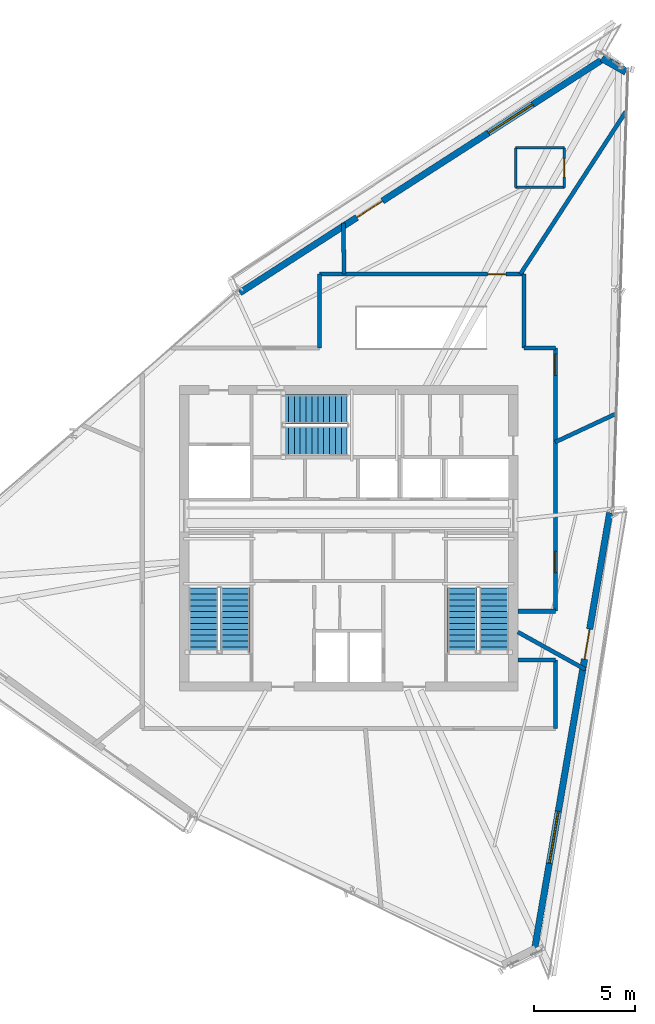
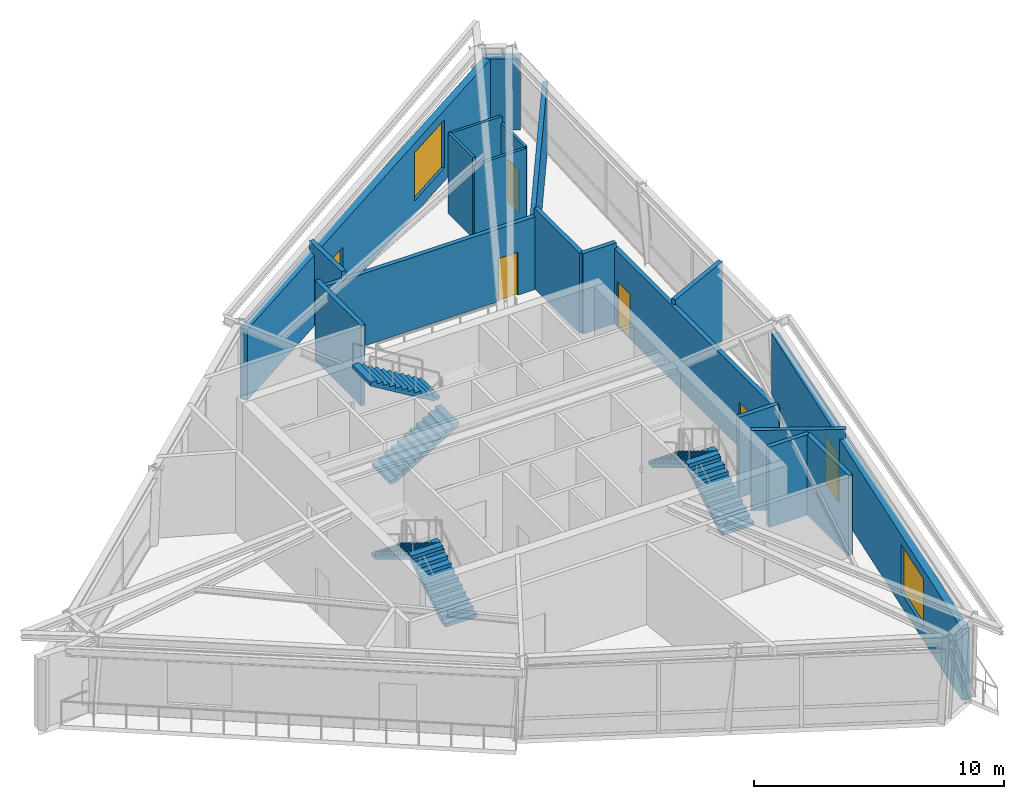
# One storey, part 19 of 22: 19 walls, 6 doors, 6 stair flights, 2 windows, 8 openings, 3 elements without a shape of their own.
"""IFC4 building model written with IfcOpenShell, lengths in metres."""

from ifc_helpers import new_model, si_unit, direction, frame, frame_2d, origin, place, context, subcontext, project, spatial, polyline, rectangle, outline, extrude, source, transform, mapped, material, layer, layer_set, type_object, type_shapes, element, fill, aggregate, save


model = new_model("IFC4")

# Units and contexts
model_context = context("Model", 3, precision=1e-05, world=origin(), true_north=direction((0.0, 1.0)))
body_context = subcontext(model_context, "Body", "Model", "MODEL_VIEW")
ifc_project = project(units=[si_unit("LENGTHUNIT", "METRE"), si_unit("AREAUNIT", "SQUARE_METRE"), si_unit("VOLUMEUNIT", "CUBIC_METRE"), si_unit("PLANEANGLEUNIT", "RADIAN"), si_unit("MASSUNIT", "GRAM", prefix="KILO")], contexts=[model_context])

# Site, building, storey
site_placement = place(None, origin())
site = spatial("IfcSite", under=ifc_project, at=site_placement, CompositionType="ELEMENT")
building_placement = place(site_placement, origin())
building = spatial("IfcBuilding", under=site, at=building_placement, Name="Olszyna Solenne Hotel", CompositionType="ELEMENT")
storey_placement = place(building_placement, frame((0.0, 0.0, 281.89990234375)))
storey = spatial("IfcBuildingStorey", under=building, at=storey_placement, Name="L75", CompositionType="ELEMENT", Elevation=281.89990234375)

# Wall, openings, door, window
ifc_material_1 = material(Name="Precast concrete C45/55", Category="concrete")
ifc_layer_1 = layer(ifc_material_1, 0.320068359375, Name="Precast concrete C45/55")
ifc_layer_set_1 = layer_set([ifc_layer_1], Name="Precast concrete C45/55")
wall_type_1 = type_object("IfcWallType", Name="WL-EX320", PredefinedType="SOLIDWALL", material=ifc_layer_set_1)
wall_1_placement = place(storey_placement, frame((50.88671875, 27.864990234375, 0.0), z_axis=(0.0, 0.0, 1.0), x_axis=(-0.169551460744, -0.985521335213, 0.0)))
wall_1 = element("IfcWall", 1, at=wall_1_placement, inside=storey, type_object=wall_type_1, Name="Exterior terracotta-precast frame wall WL-EX320 EW-L75-01", PredefinedType="SOLIDWALL", context=body_context, shape_type="SweptSolid", body=[
    extrude(rectangle(XDim=21.989013671875, YDim=0.320068359375, at=frame_2d((10.99462890625, 0.0))), origin(), (0.0, 0.0, 1.0), 3.462158203125),
])
opening_1_placement = place(wall_1_placement, frame((5.8369140625, 0.0, 0.0)))
opening_1 = element("IfcOpeningElement", 2, at=opening_1_placement, cuts=wall_1, Name="Opening LDG-L75-3", PredefinedType="OPENING", context=body_context, shape_type="SweptSolid", body=[
    extrude(rectangle(XDim=1.5, YDim=2.300048828125, at=frame_2d((0.75, 1.14990234375))), frame((0.0, 0.169921875, 0.0), z_axis=(0.0, -1.0, 0.0), x_axis=(1.0, 0.0, 0.0)), (0.0, 0.0, 1.0), 0.340087890625),
])
opening_2_placement = place(wall_1_placement, frame((14.971923828125, 0.0, 0.64990234375)))
opening_2 = element("IfcOpeningElement", 3, at=opening_2_placement, cuts=wall_1, Name="Opening WN-L75-497", PredefinedType="OPENING", context=body_context, shape_type="SweptSolid", body=[
    extrude(rectangle(XDim=2.60009765625, YDim=2.35009765625, at=frame_2d((1.300048828125, 1.175048828125))), frame((0.0, 0.169921875, 0.0), z_axis=(0.0, -1.0, 0.0), x_axis=(1.0, 0.0, 0.0)), (0.0, 0.0, 1.0), 0.340087890625),
])
ifc_material_2 = material(Name="Anodised bronze aluminium", Category="aluminium")
door_type_1 = type_object("IfcDoorType", Name="DR-LG2", OperationType="DOUBLE_DOOR_SINGLE_SWING", PredefinedType="DOOR", material=ifc_material_2)
shared_shape_1 = source(origin(), body_context, "Body", "SweptSolid", [
    extrude(rectangle(XDim=1.5, YDim=2.300048828125, at=frame_2d((0.75, 1.14990234375))), frame((0.0, 0.02490234375, 0.0), z_axis=(0.0, -1.0, 0.0), x_axis=(1.0, 0.0, 0.0)), (0.0, 0.0, 1.0), 0.050048828125),
])
type_shapes(door_type_1, [shared_shape_1])
door_1_placement = place(opening_1_placement, origin())
door_1 = element("IfcDoor", 4, at=door_1_placement, inside=storey, type_object=door_type_1, Name="Exterior loggia balcony door DR-LG2 LDG-L75-3", OperationType="DOUBLE_DOOR_SINGLE_SWING", OverallHeight=2.300048828125, OverallWidth=1.5, PredefinedType="DOOR", context=body_context, shape_type="MappedRepresentation", body=[
    mapped(shared_shape_1, transform((0.0, 0.0, 0.0), x_axis=(1.0, 0.0, 0.0), y_axis=(0.0, 1.0, 0.0), z_axis=(0.0, 0.0, 1.0), scale=1.0)),
])
fill(opening_1, door_1)
ifc_material_3 = material(Name="Low-E triple glazing", Category="glass")
window_type = type_object("IfcWindowType", Name="WN-ST1", PartitioningType="SINGLE_PANEL", PredefinedType="WINDOW", material=ifc_material_3)
shared_shape_2 = source(origin(), body_context, "Body", "SweptSolid", [
    extrude(rectangle(XDim=2.60009765625, YDim=2.35009765625, at=frame_2d((1.300048828125, 1.175048828125))), frame((0.0, 0.030029296875, 0.0), z_axis=(0.0, -1.0, 0.0), x_axis=(1.0, 0.0, 0.0)), (0.0, 0.0, 1.0), 0.06005859375),
])
type_shapes(window_type, [shared_shape_2])
window_1_placement = place(opening_2_placement, origin())
window_1 = element("IfcWindow", 5, at=window_1_placement, inside=storey, type_object=window_type, Name="Loggia room window WN-ST1 WN-L75-497", OverallHeight=2.35009765625, OverallWidth=2.60009765625, PartitioningType="SINGLE_PANEL", PredefinedType="WINDOW", context=body_context, shape_type="MappedRepresentation", body=[
    mapped(shared_shape_2, transform((0.0, 0.0, 0.0), x_axis=(1.0, 0.0, 0.0), y_axis=(0.0, 1.0, 0.0), z_axis=(0.0, 0.0, 1.0), scale=1.0)),
])
fill(opening_2, window_1)

wall_2_placement = place(storey_placement, frame((32.617431640625, 38.7265625, 0.0), z_axis=(0.0, 0.0, 1.0), x_axis=(0.841031155516, 0.540986686944, 0.0)))
wall_2 = element("IfcWall", 6, at=wall_2_placement, inside=storey, type_object=wall_type_1, Name="Exterior terracotta-precast frame wall WL-EX320 EW-L75-08", PredefinedType="SOLIDWALL", context=body_context, shape_type="SweptSolid", body=[
    extrude(rectangle(XDim=21.488525390625, YDim=0.320068359375, at=frame_2d((10.744140625, 0.0))), origin(), (0.0, 0.0, 1.0), 3.462158203125),
])
opening_3_placement = place(wall_2_placement, frame((6.8759765625, 0.0, 0.0)))
opening_3 = element("IfcOpeningElement", 7, at=opening_3_placement, cuts=wall_2, Name="Opening LDG-L75-1", PredefinedType="OPENING", context=body_context, shape_type="SweptSolid", body=[
    extrude(rectangle(XDim=1.5, YDim=2.300048828125, at=frame_2d((0.75, 1.14990234375))), frame((0.0, 0.169921875, 0.0), z_axis=(0.0, -1.0, 0.0), x_axis=(1.0, 0.0, 0.0)), (0.0, 0.0, 1.0), 0.340087890625),
])
opening_4_placement = place(wall_2_placement, frame((14.60107421875, 0.0, 0.64990234375)))
opening_4 = element("IfcOpeningElement", 8, at=opening_4_placement, cuts=wall_2, Name="Opening WN-L75-499", PredefinedType="OPENING", context=body_context, shape_type="SweptSolid", body=[
    extrude(rectangle(XDim=2.60009765625, YDim=2.35009765625, at=frame_2d((1.300048828125, 1.175048828125))), frame((0.0, 0.169921875, 0.0), z_axis=(0.0, -1.0, 0.0), x_axis=(1.0, 0.0, 0.0)), (0.0, 0.0, 1.0), 0.340087890625),
])
door_2_placement = place(opening_3_placement, origin())
door_2 = element("IfcDoor", 9, at=door_2_placement, inside=storey, type_object=door_type_1, Name="Exterior loggia balcony door DR-LG2 LDG-L75-1", OperationType="DOUBLE_DOOR_SINGLE_SWING", OverallHeight=2.300048828125, OverallWidth=1.5, PredefinedType="DOOR", context=body_context, shape_type="MappedRepresentation", body=[
    mapped(shared_shape_1, transform((0.0, 0.0, 0.0), x_axis=(1.0, 0.0, 0.0), y_axis=(0.0, 1.0, 0.0), z_axis=(0.0, 0.0, 1.0), scale=1.0)),
])
fill(opening_3, door_2)
window_2_placement = place(opening_4_placement, origin())
window_2 = element("IfcWindow", 10, at=window_2_placement, inside=storey, type_object=window_type, Name="Loggia room window WN-ST1 WN-L75-499", OverallHeight=2.35009765625, OverallWidth=2.60009765625, PartitioningType="SINGLE_PANEL", PredefinedType="WINDOW", context=body_context, shape_type="MappedRepresentation", body=[
    mapped(shared_shape_2, transform((0.0, 0.0, 0.0), x_axis=(1.0, 0.0, 0.0), y_axis=(0.0, 1.0, 0.0), z_axis=(0.0, 0.0, 1.0), scale=1.0)),
])
fill(opening_4, window_2)

# Wall
ifc_material_4 = material(Name="Terracotta cladding on precast concrete C45/55", Category="masonry")
ifc_layer_2 = layer(ifc_material_4, 0.3798828125, Name="Terracotta cladding on precast concrete C45/55")
ifc_layer_set_2 = layer_set([ifc_layer_2], Name="Terracotta cladding on precast concrete C45/55")
wall_type_2 = type_object("IfcWallType", Name="WL-EX380", PredefinedType="SOLIDWALL", material=ifc_layer_set_2)
wall_3_placement = place(storey_placement, frame((50.509521484375, 50.32080078125, 0.0), z_axis=(0.0, 0.0, 1.0), x_axis=(0.869914545073, -0.493202477965, 0.0)))
element("IfcWall", 11, at=wall_3_placement, inside=storey, type_object=wall_type_2, Name="Exterior terracotta-precast frame wall WL-EX380 EW-L75-09", PredefinedType="SOLIDWALL", context=body_context, shape_type="SweptSolid", body=[
    extrude(rectangle(XDim=1.3623046875, YDim=0.3798828125, at=frame_2d((0.68115234375, 0.0))), origin(), (0.0, 0.0, 1.0), 3.462158203125),
])

# Wall, opening, door
ifc_material_5 = material(Name="Acoustic gypsum partition", Category="gypsum")
ifc_layer_3 = layer(ifc_material_5, 0.125, Name="Acoustic gypsum partition")
ifc_layer_set_3 = layer_set([ifc_layer_3], Name="Acoustic gypsum partition")
wall_type_3 = type_object("IfcWallType", Name="WL-PT125", PredefinedType="PARTITIONING", material=ifc_layer_set_3)
wall_4_placement = place(storey_placement, frame((48.64599609375, 43.928955078125, 0.0), z_axis=(0.0, 0.0, 1.0), x_axis=(0.0, 1.0, 0.0)))
wall_4 = element("IfcWall", 12, at=wall_4_placement, inside=storey, type_object=wall_type_3, Name="Interior acoustic partition WL-PT125 PW-L75-4106", PredefinedType="PARTITIONING", context=body_context, shape_type="SweptSolid", body=[
    extrude(rectangle(XDim=1.949951171875, YDim=0.125, at=frame_2d((0.97509765625, 0.0))), origin(), (0.0, 0.0, 1.0), 3.59521484375),
])
opening_5_placement = place(wall_4_placement, frame((0.52490234375, 0.0, 0.0)))
opening_5 = element("IfcOpeningElement", 13, at=opening_5_placement, cuts=wall_4, Name="Opening DR-L75-0990", PredefinedType="OPENING", context=body_context, shape_type="SweptSolid", body=[
    extrude(rectangle(XDim=0.89990234375, YDim=2.10009765625, at=frame_2d((0.449951171875, 1.050048828125))), frame((0.0, 0.072509765625, 0.0), z_axis=(0.0, -1.0, 0.0), x_axis=(1.0, 0.0, 0.0)), (0.0, 0.0, 1.0), 0.14501953125),
])
ifc_material_6 = material(Name="Timber hardwood", Category="wood")
door_type_2 = type_object("IfcDoorType", Name="DR-WC1", OperationType="NOTDEFINED", PredefinedType="DOOR", material=ifc_material_6)
shared_shape_3 = source(origin(), body_context, "Body", "SweptSolid", [
    extrude(rectangle(XDim=0.89990234375, YDim=2.10009765625, at=frame_2d((0.449951171875, 1.050048828125))), frame((0.0, 0.02490234375, 0.0), z_axis=(0.0, -1.0, 0.0), x_axis=(1.0, 0.0, 0.0)), (0.0, 0.0, 1.0), 0.050048828125),
])
type_shapes(door_type_2, [shared_shape_3])
door_3_placement = place(opening_5_placement, origin())
door_3 = element("IfcDoor", 14, at=door_3_placement, inside=storey, type_object=door_type_2, Name="En-Suite Bathroom Door DR-L75-0990", OperationType="SINGLE_SWING_RIGHT", OverallHeight=2.10009765625, OverallWidth=0.89990234375, PredefinedType="DOOR", context=body_context, shape_type="MappedRepresentation", body=[
    mapped(shared_shape_3, transform((0.0, 0.0, 0.0), x_axis=(1.0, 0.0, 0.0), y_axis=(0.0, 1.0, 0.0), z_axis=(0.0, 0.0, 1.0), scale=1.0)),
])
fill(opening_5, door_3)

# Walls
wall_5_placement = place(storey_placement, frame((48.64599609375, 45.87890625, 0.0), z_axis=(0.0, 0.0, 1.0), x_axis=(-1.0, 0.0, 0.0)))
element("IfcWall", 15, at=wall_5_placement, inside=storey, type_object=wall_type_3, Name="Interior acoustic partition WL-PT125 PW-L75-4107", PredefinedType="PARTITIONING", context=body_context, shape_type="SweptSolid", body=[
    extrude(rectangle(XDim=2.39990234375, YDim=0.125, at=frame_2d((1.199951171875, 0.0))), origin(), (0.0, 0.0, 1.0), 3.920166015625),
])
wall_6_placement = place(storey_placement, frame((46.24609375, 45.87890625, 0.0), z_axis=(0.0, 0.0, 1.0), x_axis=(0.0, -1.0, 0.0)))
element("IfcWall", 16, at=wall_6_placement, inside=storey, type_object=wall_type_3, Name="Interior acoustic partition WL-PT125 PW-L75-4108", PredefinedType="PARTITIONING", context=body_context, shape_type="SweptSolid", body=[
    extrude(rectangle(XDim=1.949951171875, YDim=0.125, at=frame_2d((0.97509765625, 0.0))), origin(), (0.0, 0.0, 1.0), 3.920166015625),
])
wall_7_placement = place(storey_placement, frame((46.24609375, 43.928955078125, 0.0), z_axis=(0.0, 0.0, 1.0), x_axis=(1.0, 0.0, 0.0)))
element("IfcWall", 17, at=wall_7_placement, inside=storey, type_object=wall_type_3, Name="Interior acoustic partition WL-PT125 PW-L75-4109", PredefinedType="PARTITIONING", context=body_context, shape_type="SweptSolid", body=[
    extrude(rectangle(XDim=2.39990234375, YDim=0.125, at=frame_2d((1.199951171875, 0.0))), origin(), (0.0, 0.0, 1.0), 3.545166015625),
])
ifc_layer_4 = layer(ifc_material_5, 0.199951171875, Name="Acoustic gypsum partition")
ifc_layer_set_4 = layer_set([ifc_layer_4], Name="Acoustic gypsum partition")
wall_type_4 = type_object("IfcWallType", Name="WL-PT200", PredefinedType="PARTITIONING", material=ifc_layer_set_4)
wall_8_placement = place(storey_placement, frame((37.772216796875, 39.64990234375, 0.0), z_axis=(0.0, 0.0, 1.0), x_axis=(-0.01744427747, 0.999847837015, 0.0)))
element("IfcWall", 18, at=wall_8_placement, inside=storey, type_object=wall_type_4, Name="Interior acoustic partition WL-PT200 PW-L75-4099", PredefinedType="PARTITIONING", context=body_context, shape_type="SweptSolid", body=[
    extrude(rectangle(XDim=2.519287109375, YDim=0.199951171875, at=frame_2d((1.259765625, 0.0))), origin(), (0.0, 0.0, 1.0), 3.920166015625),
])
wall_9_placement = place(storey_placement, frame((46.35009765625, 21.971435546875, 0.0), z_axis=(0.0, 0.0, 1.0), x_axis=(0.874624795307, -0.484800440835, 0.0)))
element("IfcWall", 19, at=wall_9_placement, inside=storey, type_object=wall_type_4, Name="Interior acoustic partition WL-PT200 PW-L75-4103", PredefinedType="PARTITIONING", context=body_context, shape_type="SweptSolid", body=[
    extrude(rectangle(XDim=3.814697265625, YDim=0.199951171875, at=frame_2d((1.9072265625, 0.0))), origin(), (0.0, 0.0, 1.0), 3.920166015625),
])
wall_10_placement = place(storey_placement, frame((48.199951171875, 31.356201171875, 0.0), z_axis=(0.0, 0.0, 1.0), x_axis=(0.906312057572, 0.422609103428, 0.0)))
element("IfcWall", 20, at=wall_10_placement, inside=storey, type_object=wall_type_4, Name="Interior acoustic partition WL-PT200 PW-L75-4104", PredefinedType="PARTITIONING", context=body_context, shape_type="SweptSolid", body=[
    extrude(rectangle(XDim=3.288818359375, YDim=0.199951171875, at=frame_2d((1.64453125, 0.0))), origin(), (0.0, 0.0, 1.0), 3.920166015625),
])
wall_11_placement = place(storey_placement, frame((46.474853515625, 39.64990234375, 0.0), z_axis=(0.0, 0.0, 1.0), x_axis=(0.54461430033, 0.838686630319, 0.0)))
element("IfcWall", 21, at=wall_11_placement, inside=storey, type_object=wall_type_4, Name="Interior acoustic partition WL-PT200 PW-L75-4105", PredefinedType="PARTITIONING", context=body_context, shape_type="SweptSolid", body=[
    extrude(rectangle(XDim=9.568115234375, YDim=0.199951171875, at=frame_2d((4.7841796875, 0.0))), origin(), (0.0, 0.0, 1.0), 3.455078125),
])
wall_12_placement = place(storey_placement, frame((46.64990234375, 36.0, 0.0), z_axis=(0.0, 0.0, 1.0), x_axis=(1.0, 0.0, 0.0)))
element("IfcWall", 22, at=wall_12_placement, inside=storey, type_object=wall_type_4, Name="Interior acoustic partition WL-PT200 PW-L75-4113", PredefinedType="PARTITIONING", context=body_context, shape_type="SweptSolid", body=[
    extrude(rectangle(XDim=1.550048828125, YDim=0.199951171875, at=frame_2d((0.77490234375, 0.0))), origin(), (0.0, 0.0, 1.0), 3.920166015625),
])
wall_13_placement = place(storey_placement, frame((48.199951171875, 17.199951171875, 0.0), z_axis=(0.0, 0.0, 1.0), x_axis=(0.0, 1.0, 0.0)))
element("IfcWall", 23, at=wall_13_placement, inside=storey, type_object=wall_type_4, Name="Interior acoustic partition WL-PT200 PW-L75-4114", PredefinedType="PARTITIONING", context=body_context, shape_type="SweptSolid", body=[
    extrude(rectangle(XDim=3.400146484375, YDim=0.199951171875, at=frame_2d((1.7001953125, 0.0))), origin(), (0.0, 0.0, 1.0), 3.920166015625),
])
wall_14_placement = place(storey_placement, frame((46.35009765625, 20.60009765625, 0.0), z_axis=(0.0, 0.0, 1.0), x_axis=(1.0, 0.0, 0.0)))
element("IfcWall", 24, at=wall_14_placement, inside=storey, type_object=wall_type_4, Name="Interior acoustic partition WL-PT200 PW-L75-4115", PredefinedType="PARTITIONING", context=body_context, shape_type="SweptSolid", body=[
    extrude(rectangle(XDim=1.849853515625, YDim=0.199951171875, at=frame_2d((0.9248046875, 0.0))), origin(), (0.0, 0.0, 1.0), 3.920166015625),
])

# Wall, openings, doors
wall_15_placement = place(storey_placement, frame((48.199951171875, 23.0, 0.0), z_axis=(0.0, 0.0, 1.0), x_axis=(0.0, 1.0, 0.0)))
wall_15 = element("IfcWall", 25, at=wall_15_placement, inside=storey, type_object=wall_type_4, Name="Interior acoustic partition WL-PT200 PW-L75-4116", PredefinedType="PARTITIONING", context=body_context, shape_type="SweptSolid", body=[
    extrude(rectangle(XDim=13.0, YDim=0.199951171875, at=frame_2d((6.5, 0.0))), origin(), (0.0, 0.0, 1.0), 3.6650390625),
])
opening_6_placement = place(wall_15_placement, frame((1.910888671875, 0.0, 0.0)))
opening_6 = element("IfcOpeningElement", 26, at=opening_6_placement, cuts=wall_15, Name="Opening DR-L75-0995", PredefinedType="OPENING", context=body_context, shape_type="SweptSolid", body=[
    extrude(rectangle(XDim=1.050048828125, YDim=2.199951171875, at=frame_2d((0.52490234375, 1.10009765625))), frame((0.0, 0.10986328125, 0.0), z_axis=(0.0, -1.0, 0.0), x_axis=(1.0, 0.0, 0.0)), (0.0, 0.0, 1.0), 0.219970703125),
])
opening_7_placement = place(wall_15_placement, frame((11.64990234375, 0.0, 0.0)))
opening_7 = element("IfcOpeningElement", 27, at=opening_7_placement, cuts=wall_15, Name="Opening DR-L75-0996", PredefinedType="OPENING", context=body_context, shape_type="SweptSolid", body=[
    extrude(rectangle(XDim=1.050048828125, YDim=2.199951171875, at=frame_2d((0.52490234375, 1.10009765625))), frame((0.0, 0.10986328125, 0.0), z_axis=(0.0, -1.0, 0.0), x_axis=(1.0, 0.0, 0.0)), (0.0, 0.0, 1.0), 0.219970703125),
])
door_type_3 = type_object("IfcDoorType", Name="DR-RM2", OperationType="NOTDEFINED", PredefinedType="DOOR", material=ifc_material_6)
shared_shape_4 = source(origin(), body_context, "Body", "SweptSolid", [
    extrude(rectangle(XDim=1.050048828125, YDim=2.199951171875, at=frame_2d((0.52490234375, 1.10009765625))), frame((0.0, 0.02490234375, 0.0), z_axis=(0.0, -1.0, 0.0), x_axis=(1.0, 0.0, 0.0)), (0.0, 0.0, 1.0), 0.050048828125),
])
type_shapes(door_type_3, [shared_shape_4])
door_4_placement = place(opening_6_placement, origin())
door_4 = element("IfcDoor", 28, at=door_4_placement, inside=storey, type_object=door_type_3, Name="Pastry and Garde Manger Pantry Entrance Door DR-L75-0995", OperationType="SINGLE_SWING_RIGHT", OverallHeight=2.199951171875, OverallWidth=1.050048828125, PredefinedType="DOOR", context=body_context, shape_type="MappedRepresentation", body=[
    mapped(shared_shape_4, transform((0.0, 0.0, 0.0), x_axis=(1.0, 0.0, 0.0), y_axis=(0.0, 1.0, 0.0), z_axis=(0.0, 0.0, 1.0), scale=1.0)),
])
fill(opening_6, door_4)
door_5_placement = place(opening_7_placement, origin())
door_5 = element("IfcDoor", 29, at=door_5_placement, inside=storey, type_object=door_type_3, Name="VIP Chef Table Room Entrance Door DR-L75-0996", OperationType="SINGLE_SWING_LEFT", OverallHeight=2.199951171875, OverallWidth=1.050048828125, PredefinedType="DOOR", context=body_context, shape_type="MappedRepresentation", body=[
    mapped(shared_shape_4, transform((0.0, 0.0, 0.0), x_axis=(1.0, 0.0, 0.0), y_axis=(0.0, 1.0, 0.0), z_axis=(0.0, 0.0, 1.0), scale=1.0)),
])
fill(opening_7, door_5)

# Walls
wall_16_placement = place(storey_placement, frame((46.35009765625, 23.0, 0.0), z_axis=(0.0, 0.0, 1.0), x_axis=(1.0, 0.0, 0.0)))
element("IfcWall", 30, at=wall_16_placement, inside=storey, type_object=wall_type_4, Name="Interior acoustic partition WL-PT200 PW-L75-4117", PredefinedType="PARTITIONING", context=body_context, shape_type="SweptSolid", body=[
    extrude(rectangle(XDim=1.849853515625, YDim=0.199951171875, at=frame_2d((0.9248046875, 0.0))), origin(), (0.0, 0.0, 1.0), 3.920166015625),
])
for number, where, z_axis, x_axis, name in (
    (31, (36.550048828125, 36.0, 0.0), (0.0, 0.0, 1.0), (0.0, 1.0, 0.0), "Interior acoustic partition WL-PT200 PW-L75-4118"),
    (32, (46.64990234375, 36.0, 0.0), (0.0, 0.0, 1.0), (0.0, 1.0, 0.0), "Interior acoustic partition WL-PT200 PW-L75-4119"),
):
    element("IfcWall", number, at=place(storey_placement, frame(where, z_axis=z_axis, x_axis=x_axis)), inside=storey, type_object=wall_type_4, Name=name, PredefinedType="PARTITIONING", context=body_context, shape_type="SweptSolid", body=[
        extrude(rectangle(XDim=3.64990234375, YDim=0.199951171875, at=frame_2d((1.824951171875, 0.0))), origin(), (0.0, 0.0, 1.0), 3.920166015625),
    ])

# Wall, opening, door
wall_17_placement = place(storey_placement, frame((36.550048828125, 39.64990234375, 0.0), z_axis=(0.0, 0.0, 1.0), x_axis=(1.0, 0.0, 0.0)))
wall_17 = element("IfcWall", 33, at=wall_17_placement, inside=storey, type_object=wall_type_4, Name="Interior acoustic partition WL-PT200 PW-L75-4120", PredefinedType="PARTITIONING", context=body_context, shape_type="SweptSolid", body=[
    extrude(rectangle(XDim=10.099853515625, YDim=0.199951171875, at=frame_2d((5.0498046875, 0.0))), origin(), (0.0, 0.0, 1.0), 3.545166015625),
])
opening_8_placement = place(wall_17_placement, frame((8.31005859375, 0.0, 0.0)))
opening_8 = element("IfcOpeningElement", 34, at=opening_8_placement, cuts=wall_17, Name="Opening DR-L75-0997", PredefinedType="OPENING", context=body_context, shape_type="SweptSolid", body=[
    extrude(rectangle(XDim=0.89990234375, YDim=2.10009765625, at=frame_2d((0.449951171875, 1.050048828125))), frame((0.0, 0.10986328125, 0.0), z_axis=(0.0, -1.0, 0.0), x_axis=(1.0, 0.0, 0.0)), (0.0, 0.0, 1.0), 0.219970703125),
])
door_6_placement = place(opening_8_placement, origin())
door_6 = element("IfcDoor", 35, at=door_6_placement, inside=storey, type_object=door_type_2, Name="Executive Reading Salon Entrance Door DR-L75-0997", OperationType="SINGLE_SWING_RIGHT", OverallHeight=2.10009765625, OverallWidth=0.89990234375, PredefinedType="DOOR", context=body_context, shape_type="MappedRepresentation", body=[
    mapped(shared_shape_3, transform((0.0, 0.0, 0.0), x_axis=(1.0, 0.0, 0.0), y_axis=(0.0, 1.0, 0.0), z_axis=(0.0, 0.0, 1.0), scale=1.0)),
])
fill(opening_8, door_6)

# Stair, stair flights
ifc_material_7 = material(Name="Concrete C40/50", Category="concrete")
stair_type = type_object("IfcStairType", Name="STR-C1", PredefinedType="TWO_QUARTER_WINDING_STAIR", material=ifc_material_7)
stair_1_placement = place(storey_placement, origin())
stair_1 = element("IfcStair", 36, at=stair_1_placement, inside=storey, type_object=stair_type, Name="L75 ST1", PredefinedType="TWO_QUARTER_WINDING_STAIR")
stair_flight_type = type_object("IfcStairFlightType", Name="FLT-C1", PredefinedType="STRAIGHT", material=ifc_material_7)
stair_flight_1_placement = place(storey_placement, frame((32.39501953125, 20.949951171875, 0.0), z_axis=(0.0, 0.0, 1.0), x_axis=(0.0, 1.0, 0.0)))
stair_flight_1 = element("IfcStairFlight", 37, at=stair_flight_1_placement, type_object=stair_flight_type, Name="ST1 flight 1", NumberOfRisers=12, NumberOfTreads=11, PredefinedType="STRAIGHT", RiserHeight=0.175, TreadLength=0.29, context=body_context, shape_type="SweptSolid", body=[
    extrude(outline(polyline([(0.0, 0.0), (0.0, 0.175048828125), (0.2900390625, 0.175048828125), (0.2900390625, 0.35009765625), (0.580078125, 0.35009765625), (0.580078125, 0.52490234375), (0.8701171875, 0.52490234375), (0.8701171875, 0.699951171875), (1.159912109375, 0.699951171875), (1.159912109375, 0.875), (1.449951171875, 0.875), (1.449951171875, 1.050048828125), (1.739990234375, 1.050048828125), (1.739990234375, 1.22509765625), (2.030029296875, 1.22509765625), (2.030029296875, 1.39990234375), (2.320068359375, 1.39990234375), (2.320068359375, 1.574951171875), (2.610107421875, 1.574951171875), (2.610107421875, 1.75), (2.89990234375, 1.75), (2.89990234375, 1.925048828125), (3.18994140625, 1.925048828125), (3.18994140625, 2.10009765625), (3.18994140625, 1.75), (0.2900390625, 0.0), (0.0, 0.0)])), frame((0.0, 0.72509765625, 0.0), z_axis=(0.0, -1.0, 0.0), x_axis=(1.0, 0.0, 0.0)), (0.0, 0.0, 1.0), 1.449951171875),
])
stair_flight_2_placement = place(storey_placement, frame((30.824951171875, 24.139892578125, 2.10009765625), z_axis=(0.0, 0.0, 1.0), x_axis=(0.0, -1.0, 0.0)))
stair_flight_2 = element("IfcStairFlight", 38, at=stair_flight_2_placement, type_object=stair_flight_type, Name="ST1 flight 2", NumberOfRisers=12, NumberOfTreads=11, PredefinedType="STRAIGHT", RiserHeight=0.175, TreadLength=0.29, context=body_context, shape_type="SweptSolid", body=[
    extrude(outline(polyline([(0.0, 0.0), (0.0, 0.175048828125), (0.2900390625, 0.175048828125), (0.2900390625, 0.35009765625), (0.580078125, 0.35009765625), (0.580078125, 0.52490234375), (0.8701171875, 0.52490234375), (0.8701171875, 0.699951171875), (1.159912109375, 0.699951171875), (1.159912109375, 0.875), (1.449951171875, 0.875), (1.449951171875, 1.050048828125), (1.739990234375, 1.050048828125), (1.739990234375, 1.22509765625), (2.030029296875, 1.22509765625), (2.030029296875, 1.39990234375), (2.320068359375, 1.39990234375), (2.320068359375, 1.574951171875), (2.610107421875, 1.574951171875), (2.610107421875, 1.75), (2.89990234375, 1.75), (2.89990234375, 1.925048828125), (3.18994140625, 1.925048828125), (3.18994140625, 2.10009765625), (3.18994140625, 1.75), (0.2900390625, 0.0), (0.0, 0.0)])), frame((0.0, 0.72509765625, 0.0), z_axis=(0.0, -1.0, 0.0), x_axis=(1.0, 0.0, 0.0)), (0.0, 0.0, 1.0), 1.449951171875),
])
aggregate(stair_1, [stair_flight_1, stair_flight_2])

stair_2_placement = place(storey_placement, origin())
stair_2 = element("IfcStair", 39, at=stair_2_placement, inside=storey, type_object=stair_type, Name="L75 ST2", PredefinedType="TWO_QUARTER_WINDING_STAIR")
stair_flight_3_placement = place(storey_placement, frame((45.175048828125, 20.949951171875, 0.0), z_axis=(0.0, 0.0, 1.0), x_axis=(0.0, 1.0, 0.0)))
stair_flight_3 = element("IfcStairFlight", 40, at=stair_flight_3_placement, type_object=stair_flight_type, Name="ST2 flight 1", NumberOfRisers=12, NumberOfTreads=11, PredefinedType="STRAIGHT", RiserHeight=0.175, TreadLength=0.29, context=body_context, shape_type="SweptSolid", body=[
    extrude(outline(polyline([(0.0, 0.0), (0.0, 0.175048828125), (0.2900390625, 0.175048828125), (0.2900390625, 0.35009765625), (0.580078125, 0.35009765625), (0.580078125, 0.52490234375), (0.8701171875, 0.52490234375), (0.8701171875, 0.699951171875), (1.159912109375, 0.699951171875), (1.159912109375, 0.875), (1.449951171875, 0.875), (1.449951171875, 1.050048828125), (1.739990234375, 1.050048828125), (1.739990234375, 1.22509765625), (2.030029296875, 1.22509765625), (2.030029296875, 1.39990234375), (2.320068359375, 1.39990234375), (2.320068359375, 1.574951171875), (2.610107421875, 1.574951171875), (2.610107421875, 1.75), (2.89990234375, 1.75), (2.89990234375, 1.925048828125), (3.18994140625, 1.925048828125), (3.18994140625, 2.10009765625), (3.18994140625, 1.75), (0.2900390625, 0.0), (0.0, 0.0)])), frame((0.0, 0.72509765625, 0.0), z_axis=(0.0, -1.0, 0.0), x_axis=(1.0, 0.0, 0.0)), (0.0, 0.0, 1.0), 1.449951171875),
])
stair_flight_4_placement = place(storey_placement, frame((43.60498046875, 24.139892578125, 2.10009765625), z_axis=(0.0, 0.0, 1.0), x_axis=(0.0, -1.0, 0.0)))
stair_flight_4 = element("IfcStairFlight", 41, at=stair_flight_4_placement, type_object=stair_flight_type, Name="ST2 flight 2", NumberOfRisers=12, NumberOfTreads=11, PredefinedType="STRAIGHT", RiserHeight=0.175, TreadLength=0.29, context=body_context, shape_type="SweptSolid", body=[
    extrude(outline(polyline([(0.0, 0.0), (0.0, 0.175048828125), (0.2900390625, 0.175048828125), (0.2900390625, 0.35009765625), (0.580078125, 0.35009765625), (0.580078125, 0.52490234375), (0.8701171875, 0.52490234375), (0.8701171875, 0.699951171875), (1.159912109375, 0.699951171875), (1.159912109375, 0.875), (1.449951171875, 0.875), (1.449951171875, 1.050048828125), (1.739990234375, 1.050048828125), (1.739990234375, 1.22509765625), (2.030029296875, 1.22509765625), (2.030029296875, 1.39990234375), (2.320068359375, 1.39990234375), (2.320068359375, 1.574951171875), (2.610107421875, 1.574951171875), (2.610107421875, 1.75), (2.89990234375, 1.75), (2.89990234375, 1.925048828125), (3.18994140625, 1.925048828125), (3.18994140625, 2.10009765625), (3.18994140625, 1.75), (0.2900390625, 0.0), (0.0, 0.0)])), frame((0.0, 0.72509765625, 0.0), z_axis=(0.0, -1.0, 0.0), x_axis=(1.0, 0.0, 0.0)), (0.0, 0.0, 1.0), 1.449951171875),
])
aggregate(stair_2, [stair_flight_3, stair_flight_4])

stair_3_placement = place(storey_placement, origin())
stair_3 = element("IfcStair", 42, at=stair_3_placement, inside=storey, type_object=stair_type, Name="L75 ST3", PredefinedType="TWO_QUARTER_WINDING_STAIR")
stair_flight_5_placement = place(storey_placement, frame((34.72998046875, 31.405029296875, 0.0), z_axis=(0.0, 0.0, 1.0), x_axis=(1.0, 0.0, 0.0)))
stair_flight_5 = element("IfcStairFlight", 43, at=stair_flight_5_placement, type_object=stair_flight_type, Name="ST3 flight 1", NumberOfRisers=12, NumberOfTreads=11, PredefinedType="STRAIGHT", RiserHeight=0.175, TreadLength=0.29, context=body_context, shape_type="SweptSolid", body=[
    extrude(outline(polyline([(0.0, 0.0), (0.0, 0.175048828125), (0.2900390625, 0.175048828125), (0.2900390625, 0.35009765625), (0.580078125, 0.35009765625), (0.580078125, 0.52490234375), (0.8701171875, 0.52490234375), (0.8701171875, 0.699951171875), (1.159912109375, 0.699951171875), (1.159912109375, 0.875), (1.449951171875, 0.875), (1.449951171875, 1.050048828125), (1.739990234375, 1.050048828125), (1.739990234375, 1.22509765625), (2.030029296875, 1.22509765625), (2.030029296875, 1.39990234375), (2.320068359375, 1.39990234375), (2.320068359375, 1.574951171875), (2.610107421875, 1.574951171875), (2.610107421875, 1.75), (2.89990234375, 1.75), (2.89990234375, 1.925048828125), (3.18994140625, 1.925048828125), (3.18994140625, 2.10009765625), (3.18994140625, 1.75), (0.2900390625, 0.0), (0.0, 0.0)])), frame((0.0, 0.72509765625, 0.0), z_axis=(0.0, -1.0, 0.0), x_axis=(1.0, 0.0, 0.0)), (0.0, 0.0, 1.0), 1.449951171875),
])
stair_flight_6_placement = place(storey_placement, frame((37.919921875, 32.97509765625, 2.10009765625), z_axis=(0.0, 0.0, 1.0), x_axis=(-1.0, 0.0, 0.0)))
stair_flight_6 = element("IfcStairFlight", 44, at=stair_flight_6_placement, type_object=stair_flight_type, Name="ST3 flight 2", NumberOfRisers=12, NumberOfTreads=11, PredefinedType="STRAIGHT", RiserHeight=0.175, TreadLength=0.29, context=body_context, shape_type="SweptSolid", body=[
    extrude(outline(polyline([(0.0, 0.0), (0.0, 0.175048828125), (0.2900390625, 0.175048828125), (0.2900390625, 0.35009765625), (0.580078125, 0.35009765625), (0.580078125, 0.52490234375), (0.8701171875, 0.52490234375), (0.8701171875, 0.699951171875), (1.159912109375, 0.699951171875), (1.159912109375, 0.875), (1.449951171875, 0.875), (1.449951171875, 1.050048828125), (1.739990234375, 1.050048828125), (1.739990234375, 1.22509765625), (2.030029296875, 1.22509765625), (2.030029296875, 1.39990234375), (2.320068359375, 1.39990234375), (2.320068359375, 1.574951171875), (2.610107421875, 1.574951171875), (2.610107421875, 1.75), (2.89990234375, 1.75), (2.89990234375, 1.925048828125), (3.18994140625, 1.925048828125), (3.18994140625, 2.10009765625), (3.18994140625, 1.75), (0.2900390625, 0.0), (0.0, 0.0)])), frame((0.0, 0.72509765625, 0.0), z_axis=(0.0, -1.0, 0.0), x_axis=(1.0, 0.0, 0.0)), (0.0, 0.0, 1.0), 1.449951171875),
])
aggregate(stair_3, [stair_flight_5, stair_flight_6])

save(model, "model.ifc")
